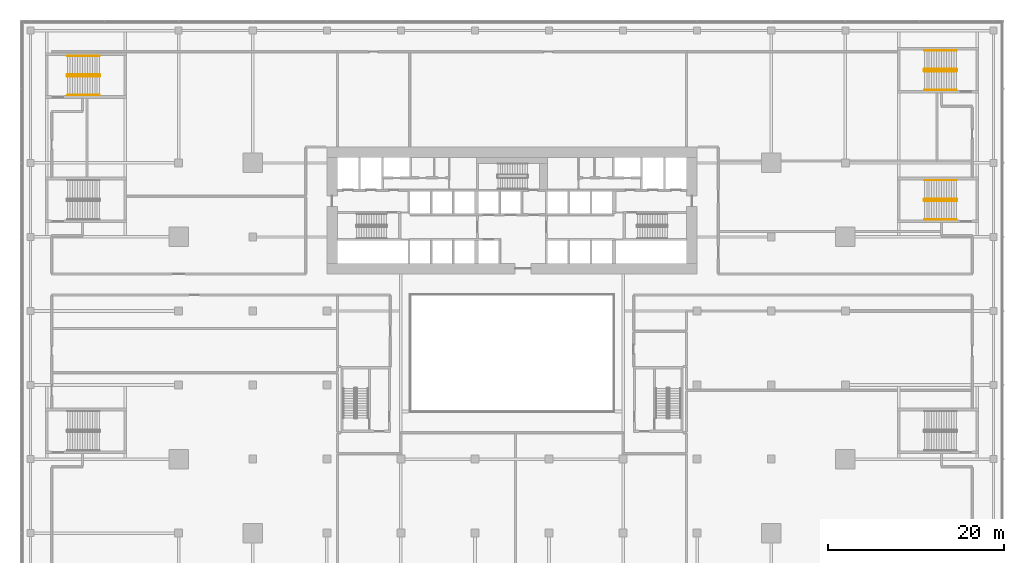
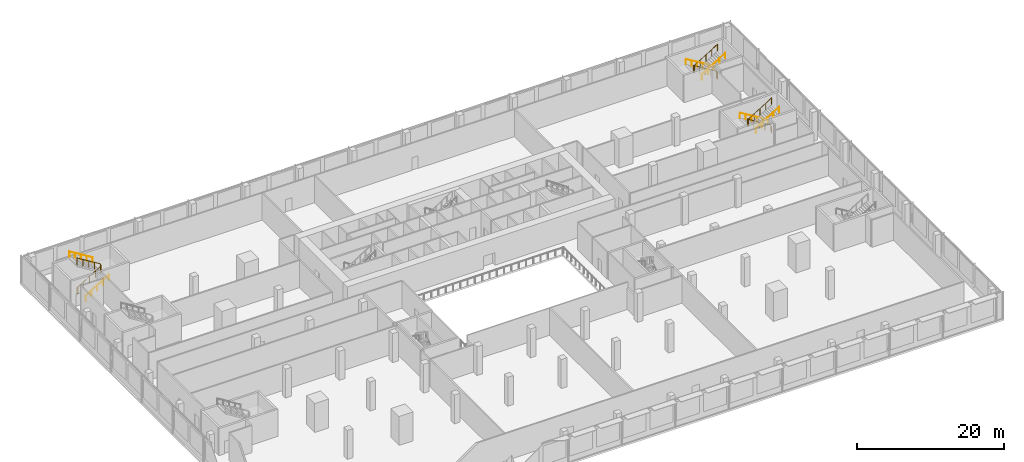
# One storey, part 39 of 39: 9 railings.
"""IFC4 building model written with IfcOpenShell, lengths in metres."""

from ifc_helpers import new_model, si_unit, direction, frame, origin, origin_2d, place, context, subcontext, project, spatial, circle, extrude, material, type_object, element, save


model = new_model("IFC4")

# Units and contexts
model_context = context("Model", 3, precision=1e-05, world=origin(), true_north=direction((0.0, 1.0)))
body_context = subcontext(model_context, "Body", "Model", "MODEL_VIEW")
ifc_project = project(units=[si_unit("LENGTHUNIT", "METRE"), si_unit("AREAUNIT", "SQUARE_METRE"), si_unit("VOLUMEUNIT", "CUBIC_METRE"), si_unit("PLANEANGLEUNIT", "RADIAN"), si_unit("MASSUNIT", "GRAM", prefix="KILO")], contexts=[model_context])

# Site, building, storey
site_placement = place(None, origin())
site = spatial("IfcSite", under=ifc_project, at=site_placement, CompositionType="ELEMENT")
building_placement = place(site_placement, origin())
building = spatial("IfcBuilding", under=site, at=building_placement, Name="Saffron Gate Tower", CompositionType="ELEMENT")
storey_placement = place(building_placement, frame((0.0, 0.0, 14.39990234375)))
storey = spatial("IfcBuildingStorey", under=building, at=storey_placement, Name="L02", CompositionType="ELEMENT", Elevation=14.39990234375)

# Railings
ifc_material_1 = material(Name="Stainless steel and laminated glass", Category="steel")
railing_type_1 = type_object("IfcRailingType", Name="CR1 Stair guard 1100", PredefinedType="GUARDRAIL", material=ifc_material_1)
railing_1_placement = place(storey_placement, frame((37.14990234375, 83.77490234375, 0.0)))
element("IfcRailing", 1, at=railing_1_placement, inside=storey, type_object=railing_type_1, Name="L02 ST-F stair guard 1", PredefinedType="GUARDRAIL", context=body_context, shape_type="SweptSolid", body=[
    extrude(circle(Radius=0.02392578125, at=origin_2d()), frame((0.0, 0.0, 1.076171875), z_axis=(0.0, -1.0, 0.0), x_axis=(1.0, 0.0, 0.0)), (0.0, 0.0, 1.0), 0.14990234375),
    extrude(circle(Radius=0.02392578125, at=origin_2d()), frame((0.0, -0.14990234375, 1.076171875), z_axis=(0.269583098496, -0.269583098496, 0.924472771914), x_axis=(0.707106781187, 0.707106781187, 0.0)), (0.0, 0.0, 1.0), 0.185546875),
    extrude(circle(Radius=0.02392578125, at=origin_2d()), frame((0.050048828125, -0.199951171875, 1.24755859375), z_axis=(0.852865859571, 0.0, 0.52213008492), x_axis=(0.0, 1.0, 0.0)), (0.0, 0.0, 1.0), 4.26806640625),
    extrude(circle(Radius=0.02392578125, at=origin_2d()), frame((3.690185546875, -0.199951171875, 3.47607421875), z_axis=(0.705375805398, 0.708833529934, 0.0), x_axis=(-0.708833529934, 0.705375805398, 0.0)), (0.0, 0.0, 1.0), 0.070556640625),
    extrude(circle(Radius=0.02392578125, at=origin_2d()), frame((3.739990234375, -0.14990234375, 3.47607421875), z_axis=(0.0, 1.0, 0.0), x_axis=(-1.0, 0.0, 0.0)), (0.0, 0.0, 1.0), 0.14990234375),
    extrude(circle(Radius=0.02392578125, at=origin_2d()), frame((3.739990234375, 0.0, 3.47607421875), z_axis=(-0.268689830376, 0.270006937388, 0.924609122178), x_axis=(-0.708833529934, -0.705375805398, 0.0)), (0.0, 0.0, 1.0), 0.185302734375),
    extrude(circle(Radius=0.02392578125, at=origin_2d()), frame((3.690185546875, 0.050048828125, 3.6474609375), z_axis=(-0.852865859571, 0.0, 0.52213008492), x_axis=(0.0, -1.0, 0.0)), (0.0, 0.0, 1.0), 4.26806640625),
    extrude(circle(Radius=0.02099609375, at=origin_2d()), origin(), (0.0, 0.0, 1.0), 1.052001953125),
    extrude(circle(Radius=0.02099609375, at=origin_2d()), frame((0.0, -0.14990234375, 0.0)), (0.0, 0.0, 1.0), 1.052001953125),
    extrude(circle(Radius=0.02099609375, at=origin_2d()), frame((0.050048828125, -0.199951171875, 0.171630859375)), (0.0, 0.0, 1.0), 1.052001953125),
    extrude(circle(Radius=0.02099609375, at=origin_2d()), frame((0.9599609375, -0.199951171875, 0.728759765625)), (0.0, 0.0, 1.0), 1.052001953125),
    extrude(circle(Radius=0.02099609375, at=origin_2d()), frame((1.8701171875, -0.199951171875, 1.285888671875)), (0.0, 0.0, 1.0), 1.052001953125),
    extrude(circle(Radius=0.02099609375, at=origin_2d()), frame((2.7802734375, -0.199951171875, 1.843017578125)), (0.0, 0.0, 1.0), 1.052001953125),
    extrude(circle(Radius=0.02099609375, at=origin_2d()), frame((3.690185546875, -0.199951171875, 2.400146484375)), (0.0, 0.0, 1.0), 1.052001953125),
    extrude(circle(Radius=0.02099609375, at=origin_2d()), frame((3.739990234375, -0.14990234375, 2.400146484375)), (0.0, 0.0, 1.0), 1.052001953125),
    extrude(circle(Radius=0.02099609375, at=origin_2d()), frame((3.739990234375, 0.0, 2.400146484375)), (0.0, 0.0, 1.0), 1.052001953125),
    extrude(circle(Radius=0.02099609375, at=origin_2d()), frame((3.690185546875, 0.050048828125, 2.571533203125)), (0.0, 0.0, 1.0), 1.052001953125),
    extrude(circle(Radius=0.02099609375, at=origin_2d()), frame((2.7802734375, 0.050048828125, 3.128662109375)), (0.0, 0.0, 1.0), 1.052001953125),
    extrude(circle(Radius=0.02099609375, at=origin_2d()), frame((1.8701171875, 0.050048828125, 3.685791015625)), (0.0, 0.0, 1.0), 1.052001953125),
    extrude(circle(Radius=0.02099609375, at=origin_2d()), frame((0.9599609375, 0.050048828125, 4.242919921875)), (0.0, 0.0, 1.0), 1.052001953125),
    extrude(circle(Radius=0.02099609375, at=origin_2d()), frame((0.050048828125, 0.050048828125, 4.800048828125)), (0.0, 0.0, 1.0), 1.052001953125),
])
railing_2_placement = place(storey_placement, frame((138.050048828125, 84.22509765625, 0.0)))
element("IfcRailing", 2, at=railing_2_placement, inside=storey, type_object=railing_type_1, Name="L02 ST-I stair guard 1", PredefinedType="GUARDRAIL", context=body_context, shape_type="SweptSolid", body=[
    extrude(circle(Radius=0.02392578125, at=origin_2d()), frame((0.0, 0.0, 1.076171875), z_axis=(0.0, 1.0, 0.0), x_axis=(-1.0, 0.0, 0.0)), (0.0, 0.0, 1.0), 0.14990234375),
    extrude(circle(Radius=0.02392578125, at=origin_2d()), frame((0.0, 0.14990234375, 1.076171875), z_axis=(-0.269583098496, 0.269583098496, 0.924472771914), x_axis=(-0.707106781187, -0.707106781187, 0.0)), (0.0, 0.0, 1.0), 0.185546875),
    extrude(circle(Radius=0.02392578125, at=origin_2d()), frame((-0.050048828125, 0.199951171875, 1.24755859375), z_axis=(-0.852850264322, 0.0, 0.5221555579), x_axis=(0.0, -1.0, 0.0)), (0.0, 0.0, 1.0), 4.267822265625),
    extrude(circle(Radius=0.02392578125, at=origin_2d()), frame((-3.68994140625, 0.199951171875, 3.47607421875), z_axis=(-0.707106781187, -0.707106781187, 0.0), x_axis=(0.707106781187, -0.707106781187, 0.0)), (0.0, 0.0, 1.0), 0.07080078125),
    extrude(circle(Radius=0.02392578125, at=origin_2d()), frame((-3.739990234375, 0.14990234375, 3.47607421875), z_axis=(0.0, -1.0, 0.0), x_axis=(1.0, 0.0, 0.0)), (0.0, 0.0, 1.0), 0.14990234375),
    extrude(circle(Radius=0.02392578125, at=origin_2d()), frame((-3.739990234375, 0.0, 3.47607421875), z_axis=(0.269911200495, -0.269911200495, 0.924281281696), x_axis=(0.707106781187, 0.707106781187, 0.0)), (0.0, 0.0, 1.0), 0.185546875),
    extrude(circle(Radius=0.02392578125, at=origin_2d()), frame((-3.68994140625, -0.050048828125, 3.6474609375), z_axis=(0.852850264322, 0.0, 0.5221555579), x_axis=(0.0, 1.0, 0.0)), (0.0, 0.0, 1.0), 4.267822265625),
    extrude(circle(Radius=0.02099609375, at=origin_2d()), origin(), (0.0, 0.0, 1.0), 1.052001953125),
    extrude(circle(Radius=0.02099609375, at=origin_2d()), frame((0.0, 0.14990234375, 0.0)), (0.0, 0.0, 1.0), 1.052001953125),
    extrude(circle(Radius=0.02099609375, at=origin_2d()), frame((-0.050048828125, 0.199951171875, 0.171630859375)), (0.0, 0.0, 1.0), 1.052001953125),
    extrude(circle(Radius=0.02099609375, at=origin_2d()), frame((-0.9599609375, 0.199951171875, 0.728759765625)), (0.0, 0.0, 1.0), 1.052001953125),
    extrude(circle(Radius=0.02099609375, at=origin_2d()), frame((-1.8701171875, 0.199951171875, 1.285888671875)), (0.0, 0.0, 1.0), 1.052001953125),
    extrude(circle(Radius=0.02099609375, at=origin_2d()), frame((-2.780029296875, 0.199951171875, 1.843017578125)), (0.0, 0.0, 1.0), 1.052001953125),
    extrude(circle(Radius=0.02099609375, at=origin_2d()), frame((-3.68994140625, 0.199951171875, 2.400146484375)), (0.0, 0.0, 1.0), 1.052001953125),
    extrude(circle(Radius=0.02099609375, at=origin_2d()), frame((-3.739990234375, 0.14990234375, 2.400146484375)), (0.0, 0.0, 1.0), 1.052001953125),
    extrude(circle(Radius=0.02099609375, at=origin_2d()), frame((-3.739990234375, 0.0, 2.400146484375)), (0.0, 0.0, 1.0), 1.052001953125),
    extrude(circle(Radius=0.02099609375, at=origin_2d()), frame((-3.68994140625, -0.050048828125, 2.571533203125)), (0.0, 0.0, 1.0), 1.052001953125),
    extrude(circle(Radius=0.02099609375, at=origin_2d()), frame((-2.780029296875, -0.050048828125, 3.128662109375)), (0.0, 0.0, 1.0), 1.052001953125),
    extrude(circle(Radius=0.02099609375, at=origin_2d()), frame((-1.8701171875, -0.050048828125, 3.685791015625)), (0.0, 0.0, 1.0), 1.052001953125),
    extrude(circle(Radius=0.02099609375, at=origin_2d()), frame((-0.9599609375, -0.050048828125, 4.242919921875)), (0.0, 0.0, 1.0), 1.052001953125),
    extrude(circle(Radius=0.02099609375, at=origin_2d()), frame((-0.050048828125, -0.050048828125, 4.800048828125)), (0.0, 0.0, 1.0), 1.052001953125),
])
railing_3_placement = place(storey_placement, frame((138.050048828125, 69.52490234375, 0.0)))
element("IfcRailing", 3, at=railing_3_placement, inside=storey, type_object=railing_type_1, Name="L02 ST-J stair guard 1", PredefinedType="GUARDRAIL", context=body_context, shape_type="SweptSolid", body=[
    extrude(circle(Radius=0.02392578125, at=origin_2d()), frame((0.0, 0.0, 1.076171875), z_axis=(0.0, 1.0, 0.0), x_axis=(-1.0, 0.0, 0.0)), (0.0, 0.0, 1.0), 0.150146484375),
    extrude(circle(Radius=0.02392578125, at=origin_2d()), frame((0.0, 0.150146484375, 1.076171875), z_axis=(-0.269583098496, 0.269583098496, 0.924472771914), x_axis=(-0.707106781187, -0.707106781187, 0.0)), (0.0, 0.0, 1.0), 0.185546875),
    extrude(circle(Radius=0.02392578125, at=origin_2d()), frame((-0.050048828125, 0.2001953125, 1.24755859375), z_axis=(-0.852850264322, 0.0, 0.5221555579), x_axis=(0.0, -1.0, 0.0)), (0.0, 0.0, 1.0), 4.267822265625),
    extrude(circle(Radius=0.02392578125, at=origin_2d()), frame((-3.68994140625, 0.2001953125, 3.47607421875), z_axis=(-0.707106781187, -0.707106781187, 0.0), x_axis=(0.707106781187, -0.707106781187, 0.0)), (0.0, 0.0, 1.0), 0.07080078125),
    extrude(circle(Radius=0.02392578125, at=origin_2d()), frame((-3.739990234375, 0.150146484375, 3.47607421875), z_axis=(0.0, -1.0, 0.0), x_axis=(1.0, 0.0, 0.0)), (0.0, 0.0, 1.0), 0.150146484375),
    extrude(circle(Radius=0.02392578125, at=origin_2d()), frame((-3.739990234375, 0.0, 3.47607421875), z_axis=(0.270006937388, -0.268689830376, 0.924609122178), x_axis=(0.705375805398, 0.708833529934, 0.0)), (0.0, 0.0, 1.0), 0.185302734375),
    extrude(circle(Radius=0.02392578125, at=origin_2d()), frame((-3.68994140625, -0.0498046875, 3.6474609375), z_axis=(0.852850264322, 0.0, 0.5221555579), x_axis=(0.0, 1.0, 0.0)), (0.0, 0.0, 1.0), 4.267822265625),
    extrude(circle(Radius=0.02099609375, at=origin_2d()), origin(), (0.0, 0.0, 1.0), 1.052001953125),
    extrude(circle(Radius=0.02099609375, at=origin_2d()), frame((0.0, 0.150146484375, 0.0)), (0.0, 0.0, 1.0), 1.052001953125),
    extrude(circle(Radius=0.02099609375, at=origin_2d()), frame((-0.050048828125, 0.2001953125, 0.171630859375)), (0.0, 0.0, 1.0), 1.052001953125),
    extrude(circle(Radius=0.02099609375, at=origin_2d()), frame((-0.9599609375, 0.2001953125, 0.728759765625)), (0.0, 0.0, 1.0), 1.052001953125),
    extrude(circle(Radius=0.02099609375, at=origin_2d()), frame((-1.8701171875, 0.2001953125, 1.285888671875)), (0.0, 0.0, 1.0), 1.052001953125),
    extrude(circle(Radius=0.02099609375, at=origin_2d()), frame((-2.780029296875, 0.2001953125, 1.843017578125)), (0.0, 0.0, 1.0), 1.052001953125),
    extrude(circle(Radius=0.02099609375, at=origin_2d()), frame((-3.68994140625, 0.2001953125, 2.400146484375)), (0.0, 0.0, 1.0), 1.052001953125),
    extrude(circle(Radius=0.02099609375, at=origin_2d()), frame((-3.739990234375, 0.150146484375, 2.400146484375)), (0.0, 0.0, 1.0), 1.052001953125),
    extrude(circle(Radius=0.02099609375, at=origin_2d()), frame((-3.739990234375, 0.0, 2.400146484375)), (0.0, 0.0, 1.0), 1.052001953125),
    extrude(circle(Radius=0.02099609375, at=origin_2d()), frame((-3.68994140625, -0.0498046875, 2.571533203125)), (0.0, 0.0, 1.0), 1.052001953125),
    extrude(circle(Radius=0.02099609375, at=origin_2d()), frame((-2.780029296875, -0.0498046875, 3.128662109375)), (0.0, 0.0, 1.0), 1.052001953125),
    extrude(circle(Radius=0.02099609375, at=origin_2d()), frame((-1.8701171875, -0.0498046875, 3.685791015625)), (0.0, 0.0, 1.0), 1.052001953125),
    extrude(circle(Radius=0.02099609375, at=origin_2d()), frame((-0.9599609375, -0.0498046875, 4.242919921875)), (0.0, 0.0, 1.0), 1.052001953125),
    extrude(circle(Radius=0.02099609375, at=origin_2d()), frame((-0.050048828125, -0.0498046875, 4.800048828125)), (0.0, 0.0, 1.0), 1.052001953125),
])
ifc_material_2 = material(Name="Stainless steel", Category="steel")
railing_type_2 = type_object("IfcRailingType", Name="CR2 Stair handrail 900", PredefinedType="HANDRAIL", material=ifc_material_2)
railing_4_placement = place(storey_placement, frame((37.199951171875, 81.47509765625, 0.171630859375)))
element("IfcRailing", 4, at=railing_4_placement, inside=storey, type_object=railing_type_2, Name="L02 ST-F stair handrail 1", PredefinedType="HANDRAIL", context=body_context, shape_type="SweptSolid", body=[
    extrude(circle(Radius=0.02392578125, at=origin_2d()), frame((0.0, 0.0, 0.8759765625), z_axis=(0.852865859571, 0.0, 0.52213008492), x_axis=(0.0, 1.0, 0.0)), (0.0, 0.0, 1.0), 4.26806640625),
    extrude(circle(Radius=0.02099609375, at=origin_2d()), origin(), (0.0, 0.0, 1.0), 0.851806640625),
    extrude(circle(Radius=0.02099609375, at=origin_2d()), frame((0.91015625, 0.0, 0.55712890625)), (0.0, 0.0, 1.0), 0.851806640625),
    extrude(circle(Radius=0.02099609375, at=origin_2d()), frame((1.820068359375, 0.0, 1.1142578125)), (0.0, 0.0, 1.0), 0.851806640625),
    extrude(circle(Radius=0.02099609375, at=origin_2d()), frame((2.72998046875, 0.0, 1.67138671875)), (0.0, 0.0, 1.0), 0.851806640625),
    extrude(circle(Radius=0.02099609375, at=origin_2d()), frame((3.64013671875, 0.0, 2.228515625)), (0.0, 0.0, 1.0), 0.851806640625),
])
railing_5_placement = place(storey_placement, frame((40.840087890625, 85.925048828125, 2.571533203125)))
element("IfcRailing", 5, at=railing_5_placement, inside=storey, type_object=railing_type_2, Name="L02 ST-F stair handrail 2", PredefinedType="HANDRAIL", context=body_context, shape_type="SweptSolid", body=[
    extrude(circle(Radius=0.02392578125, at=origin_2d()), frame((0.0, 0.0, 0.8759765625), z_axis=(-0.852865859571, 0.0, 0.52213008492), x_axis=(0.0, -1.0, 0.0)), (0.0, 0.0, 1.0), 4.26806640625),
    extrude(circle(Radius=0.02099609375, at=origin_2d()), origin(), (0.0, 0.0, 1.0), 0.851806640625),
    extrude(circle(Radius=0.02099609375, at=origin_2d()), frame((-0.91015625, 0.0, 0.55712890625)), (0.0, 0.0, 1.0), 0.851806640625),
    extrude(circle(Radius=0.02099609375, at=origin_2d()), frame((-1.820068359375, 0.0, 1.1142578125)), (0.0, 0.0, 1.0), 0.851806640625),
    extrude(circle(Radius=0.02099609375, at=origin_2d()), frame((-2.72998046875, 0.0, 1.67138671875)), (0.0, 0.0, 1.0), 0.851806640625),
    extrude(circle(Radius=0.02099609375, at=origin_2d()), frame((-3.64013671875, 0.0, 2.228515625)), (0.0, 0.0, 1.0), 0.851806640625),
])
railing_6_placement = place(storey_placement, frame((138.0, 86.52490234375, 0.171630859375)))
element("IfcRailing", 6, at=railing_6_placement, inside=storey, type_object=railing_type_2, Name="L02 ST-I stair handrail 1", PredefinedType="HANDRAIL", context=body_context, shape_type="SweptSolid", body=[
    extrude(circle(Radius=0.02392578125, at=origin_2d()), frame((0.0, 0.0, 0.8759765625), z_axis=(-0.852850264322, 0.0, 0.5221555579), x_axis=(0.0, -1.0, 0.0)), (0.0, 0.0, 1.0), 4.267822265625),
    extrude(circle(Radius=0.02099609375, at=origin_2d()), origin(), (0.0, 0.0, 1.0), 0.851806640625),
    extrude(circle(Radius=0.02099609375, at=origin_2d()), frame((-0.909912109375, 0.0, 0.55712890625)), (0.0, 0.0, 1.0), 0.851806640625),
    extrude(circle(Radius=0.02099609375, at=origin_2d()), frame((-1.81982421875, 0.0, 1.1142578125)), (0.0, 0.0, 1.0), 0.851806640625),
    extrude(circle(Radius=0.02099609375, at=origin_2d()), frame((-2.72998046875, 0.0, 1.67138671875)), (0.0, 0.0, 1.0), 0.851806640625),
    extrude(circle(Radius=0.02099609375, at=origin_2d()), frame((-3.639892578125, 0.0, 2.228515625)), (0.0, 0.0, 1.0), 0.851806640625),
])
railing_7_placement = place(storey_placement, frame((134.360107421875, 82.074951171875, 2.571533203125)))
element("IfcRailing", 7, at=railing_7_placement, inside=storey, type_object=railing_type_2, Name="L02 ST-I stair handrail 2", PredefinedType="HANDRAIL", context=body_context, shape_type="SweptSolid", body=[
    extrude(circle(Radius=0.02392578125, at=origin_2d()), frame((0.0, 0.0, 0.8759765625), z_axis=(0.852850264322, 0.0, 0.5221555579), x_axis=(0.0, 1.0, 0.0)), (0.0, 0.0, 1.0), 4.267822265625),
    extrude(circle(Radius=0.02099609375, at=origin_2d()), origin(), (0.0, 0.0, 1.0), 0.851806640625),
    extrude(circle(Radius=0.02099609375, at=origin_2d()), frame((0.909912109375, 0.0, 0.55712890625)), (0.0, 0.0, 1.0), 0.851806640625),
    extrude(circle(Radius=0.02099609375, at=origin_2d()), frame((1.81982421875, 0.0, 1.1142578125)), (0.0, 0.0, 1.0), 0.851806640625),
    extrude(circle(Radius=0.02099609375, at=origin_2d()), frame((2.72998046875, 0.0, 1.67138671875)), (0.0, 0.0, 1.0), 0.851806640625),
    extrude(circle(Radius=0.02099609375, at=origin_2d()), frame((3.639892578125, 0.0, 2.228515625)), (0.0, 0.0, 1.0), 0.851806640625),
])
railing_8_placement = place(storey_placement, frame((138.0, 71.824951171875, 0.171630859375)))
element("IfcRailing", 8, at=railing_8_placement, inside=storey, type_object=railing_type_2, Name="L02 ST-J stair handrail 1", PredefinedType="HANDRAIL", context=body_context, shape_type="SweptSolid", body=[
    extrude(circle(Radius=0.02392578125, at=origin_2d()), frame((0.0, 0.0, 0.8759765625), z_axis=(-0.852850264322, 0.0, 0.5221555579), x_axis=(0.0, -1.0, 0.0)), (0.0, 0.0, 1.0), 4.267822265625),
    extrude(circle(Radius=0.02099609375, at=origin_2d()), origin(), (0.0, 0.0, 1.0), 0.851806640625),
    extrude(circle(Radius=0.02099609375, at=origin_2d()), frame((-0.909912109375, 0.0, 0.55712890625)), (0.0, 0.0, 1.0), 0.851806640625),
    extrude(circle(Radius=0.02099609375, at=origin_2d()), frame((-1.81982421875, 0.0, 1.1142578125)), (0.0, 0.0, 1.0), 0.851806640625),
    extrude(circle(Radius=0.02099609375, at=origin_2d()), frame((-2.72998046875, 0.0, 1.67138671875)), (0.0, 0.0, 1.0), 0.851806640625),
    extrude(circle(Radius=0.02099609375, at=origin_2d()), frame((-3.639892578125, 0.0, 2.228515625)), (0.0, 0.0, 1.0), 0.851806640625),
])
railing_9_placement = place(storey_placement, frame((134.360107421875, 67.375, 2.571533203125)))
element("IfcRailing", 9, at=railing_9_placement, inside=storey, type_object=railing_type_2, Name="L02 ST-J stair handrail 2", PredefinedType="HANDRAIL", context=body_context, shape_type="SweptSolid", body=[
    extrude(circle(Radius=0.02392578125, at=origin_2d()), frame((0.0, 0.0, 0.8759765625), z_axis=(0.852850264322, 0.0, 0.5221555579), x_axis=(0.0, 1.0, 0.0)), (0.0, 0.0, 1.0), 4.267822265625),
    extrude(circle(Radius=0.02099609375, at=origin_2d()), origin(), (0.0, 0.0, 1.0), 0.851806640625),
    extrude(circle(Radius=0.02099609375, at=origin_2d()), frame((0.909912109375, 0.0, 0.55712890625)), (0.0, 0.0, 1.0), 0.851806640625),
    extrude(circle(Radius=0.02099609375, at=origin_2d()), frame((1.81982421875, 0.0, 1.1142578125)), (0.0, 0.0, 1.0), 0.851806640625),
    extrude(circle(Radius=0.02099609375, at=origin_2d()), frame((2.72998046875, 0.0, 1.67138671875)), (0.0, 0.0, 1.0), 0.851806640625),
    extrude(circle(Radius=0.02099609375, at=origin_2d()), frame((3.639892578125, 0.0, 2.228515625)), (0.0, 0.0, 1.0), 0.851806640625),
])

save(model, "model.ifc")
